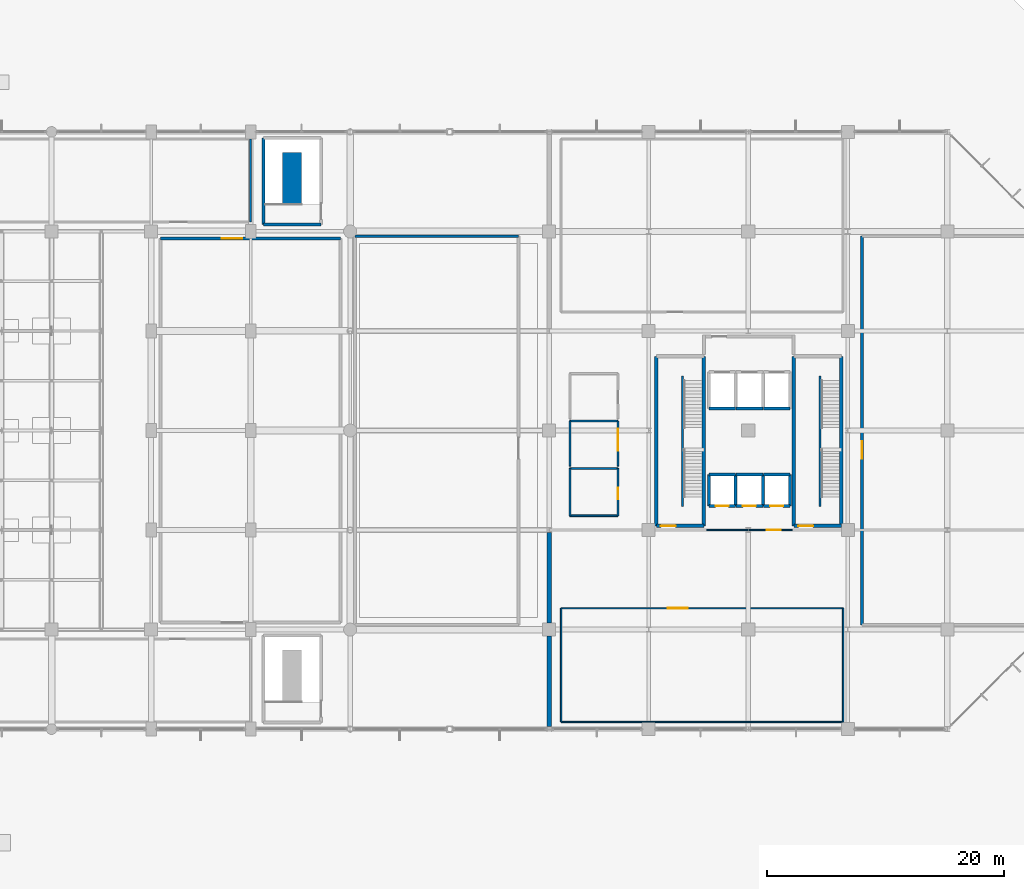
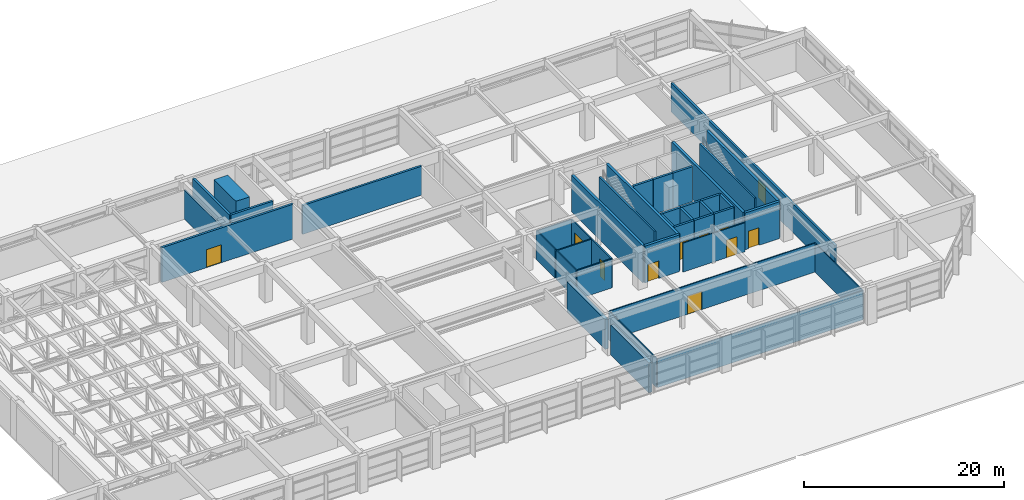
# One storey, part 42 of 47: 42 walls, 11 doors, 11 openings.
"""IFC4 building model written with IfcOpenShell, lengths in metres."""

from ifc_helpers import new_model, si_unit, direction, frame, frame_2d, origin, place, context, subcontext, project, spatial, rectangle, extrude, material, layer, layer_set, type_object, element, fill, save


model = new_model("IFC4")

# Units and contexts
model_context = context("Model", 3, precision=1e-05, world=origin(), true_north=direction((0.0, 1.0)))
body_context = subcontext(model_context, "Body", "Model", "MODEL_VIEW")
ifc_project = project(units=[si_unit("LENGTHUNIT", "METRE"), si_unit("AREAUNIT", "SQUARE_METRE"), si_unit("VOLUMEUNIT", "CUBIC_METRE"), si_unit("PLANEANGLEUNIT", "RADIAN"), si_unit("MASSUNIT", "GRAM", prefix="KILO")], contexts=[model_context])

# Site, building, storey
site_placement = place(None, origin())
site = spatial("IfcSite", under=ifc_project, at=site_placement, CompositionType="ELEMENT")
building_placement = place(site_placement, origin())
building = spatial("IfcBuilding", under=site, at=building_placement, Name="Xuanlan Plaza Opera House", CompositionType="ELEMENT")
storey_placement = place(building_placement, frame((0.0, 0.0, 23.39990234375)))
storey = spatial("IfcBuildingStorey", under=building, at=storey_placement, Name="L05", CompositionType="ELEMENT", Elevation=23.39990234375)

# Wall
ifc_material_1 = material(Name="Gypsum Board and Galvanised Steel Studs", Category="gypsum")
ifc_layer_1 = layer(ifc_material_1, 0.239990234375)
ifc_layer_set_1 = layer_set([ifc_layer_1], Name="Gypsum Board and Galvanised Steel Studs")
wall_type_1 = type_object("IfcWallType", Name="INT-WL-PW-01", PredefinedType="PARTITIONING", material=ifc_layer_set_1)
wall_1_placement = place(storey_placement, frame((109.60009765625, 75.199951171875, 0.0), z_axis=(0.0, 0.0, 1.0), x_axis=(1.0, 0.0, 0.0)))
element("IfcWall", 1, at=wall_1_placement, inside=storey, type_object=wall_type_1, Name="Exhibition Gallery Wall North", PredefinedType="PARTITIONING", context=body_context, shape_type="SweptSolid", body=[
    extrude(rectangle(XDim=13.7998046875, YDim=0.239990234375, at=frame_2d((6.89990234375, 0.0))), origin(), (0.0, 0.0, 1.0), 3.5400390625),
])

# Wall, opening, door
wall_2_placement = place(storey_placement, frame((152.39990234375, 42.39990234375, 0.0), z_axis=(0.0, 0.0, 1.0), x_axis=(0.0, 1.0, 0.0)))
wall_2 = element("IfcWall", 2, at=wall_2_placement, inside=storey, type_object=wall_type_1, Name="Resident Orchestra Ensemble Studio Wall West", PredefinedType="PARTITIONING", context=body_context, shape_type="SweptSolid", body=[
    extrude(rectangle(XDim=32.800048828125, YDim=0.239990234375, at=frame_2d((16.39990234375, 0.0))), origin(), (0.0, 0.0, 1.0), 3.5400390625),
])
opening_1_placement = place(wall_2_placement, frame((14.0, 0.0, 0.0)))
opening_1 = element("IfcOpeningElement", 3, at=opening_1_placement, cuts=wall_2, Name="Opening D-03", PredefinedType="OPENING", context=body_context, shape_type="SweptSolid", body=[
    extrude(rectangle(XDim=1.5, YDim=2.199951171875, at=frame_2d((0.75, 1.10009765625))), frame((0.0, 0.1298828125, 0.0), z_axis=(0.0, -1.0, 0.0), x_axis=(1.0, 0.0, 0.0)), (0.0, 0.0, 1.0), 0.260009765625),
])
ifc_material_2 = material(Name="Walnut Hardwood Timber", Category="wood")
door_type_1 = type_object("IfcDoorType", Name="INT-DR-D-03", OperationType="DOUBLE_DOOR_SINGLE_SWING", PredefinedType="DOOR", material=ifc_material_2)
door_1_placement = place(opening_1_placement, origin())
door_1 = element("IfcDoor", 4, at=door_1_placement, inside=storey, type_object=door_type_1, Name="Resident Orchestra Ensemble Studio Door 1", OperationType="DOUBLE_DOOR_SINGLE_SWING", OverallHeight=2.199951171875, OverallWidth=1.5, PredefinedType="DOOR", context=body_context, shape_type="SweptSolid", body=[
    extrude(rectangle(XDim=1.5, YDim=2.199951171875, at=frame_2d((0.75, 1.10009765625))), frame((0.0, 0.02490234375, 0.0), z_axis=(0.0, -1.0, 0.0), x_axis=(1.0, 0.0, 0.0)), (0.0, 0.0, 1.0), 0.050048828125),
])
fill(opening_1, door_1)

# Walls
ifc_layer_2 = layer(ifc_material_1, 0.179931640625)
ifc_layer_set_2 = layer_set([ifc_layer_2], Name="Gypsum Board and Galvanised Steel Studs")
wall_type_2 = type_object("IfcWallType", Name="INT-WL-PW-02", PredefinedType="PARTITIONING", material=ifc_layer_set_2)
wall_3_placement = place(storey_placement, frame((100.800048828125, 76.39990234375, 0.0), z_axis=(0.0, 0.0, 1.0), x_axis=(0.0, 1.0, 0.0)))
element("IfcWall", 5, at=wall_3_placement, inside=storey, type_object=wall_type_2, Name="Stage Lighting Equipment Store Wall East", PredefinedType="PARTITIONING", context=body_context, shape_type="SweptSolid", body=[
    extrude(rectangle(XDim=7.0, YDim=0.179931640625, at=frame_2d((3.5, 0.0))), origin(), (0.0, 0.0, 1.0), 3.5400390625),
])
ifc_material_3 = material(Name="Autoclaved Aerated Blockwork Masonry", Category="masonry")
ifc_layer_3 = layer(ifc_material_3, 0.14990234375)
ifc_layer_set_3 = layer_set([ifc_layer_3], Name="Autoclaved Aerated Blockwork Masonry")
wall_type_3 = type_object("IfcWallType", Name="INT-WL-PW-03", PredefinedType="PARTITIONING", material=ifc_layer_set_3)
for number, where, z_axis, x_axis, name in (
    (6, (127.75, 51.60009765625, 0.0), (0.0, 0.0, 1.0), (1.0, 0.0, 0.0), "Public WC Wall South"),
    (7, (127.75, 55.60009765625, 0.0), (0.0, 0.0, 1.0), (1.0, 0.0, 0.0), "Public WC Wall North"),
):
    element("IfcWall", number, at=place(storey_placement, frame(where, z_axis=z_axis, x_axis=x_axis)), inside=storey, type_object=wall_type_3, Name=name, PredefinedType="PARTITIONING", context=body_context, shape_type="SweptSolid", body=[
        extrude(rectangle(XDim=4.050048828125, YDim=0.14990234375, at=frame_2d((2.02490234375, 0.0))), origin(), (0.0, 0.0, 1.0), 3.5400390625),
    ])
wall_4_placement = place(storey_placement, frame((127.75, 51.60009765625, 0.0), z_axis=(0.0, 0.0, 1.0), x_axis=(0.0, 1.0, 0.0)))
element("IfcWall", 8, at=wall_4_placement, inside=storey, type_object=wall_type_3, Name="Public WC Wall West", PredefinedType="PARTITIONING", context=body_context, shape_type="SweptSolid", body=[
    extrude(rectangle(XDim=4.0, YDim=0.14990234375, at=frame_2d((2.0, 0.0))), origin(), (0.0, 0.0, 1.0), 3.5400390625),
])

# Wall, opening, door
wall_5_placement = place(storey_placement, frame((131.800048828125, 51.60009765625, 0.0), z_axis=(0.0, 0.0, 1.0), x_axis=(0.0, 1.0, 0.0)))
wall_5 = element("IfcWall", 9, at=wall_5_placement, inside=storey, type_object=wall_type_3, Name="Public WC Wall East", PredefinedType="PARTITIONING", context=body_context, shape_type="SweptSolid", body=[
    extrude(rectangle(XDim=4.0, YDim=0.14990234375, at=frame_2d((2.0, 0.0))), origin(), (0.0, 0.0, 1.0), 3.5400390625),
])
opening_2_placement = place(wall_5_placement, frame((1.39990234375, 0.0, 0.0)))
opening_2 = element("IfcOpeningElement", 10, at=opening_2_placement, cuts=wall_5, Name="Opening D-01", PredefinedType="OPENING", context=body_context, shape_type="SweptSolid", body=[
    extrude(rectangle(XDim=0.949951171875, YDim=2.10009765625, at=frame_2d((0.47509765625, 1.050048828125))), frame((0.0, 0.0849609375, 0.0), z_axis=(0.0, -1.0, 0.0), x_axis=(1.0, 0.0, 0.0)), (0.0, 0.0, 1.0), 0.169921875),
])
door_type_2 = type_object("IfcDoorType", Name="INT-DR-D-01", OperationType="NOTDEFINED", PredefinedType="DOOR", material=ifc_material_2)
door_2_placement = place(opening_2_placement, origin())
door_2 = element("IfcDoor", 11, at=door_2_placement, inside=storey, type_object=door_type_2, Name="Public WC Door 1", OperationType="SINGLE_SWING_RIGHT", OverallHeight=2.10009765625, OverallWidth=0.949951171875, PredefinedType="DOOR", context=body_context, shape_type="SweptSolid", body=[
    extrude(rectangle(XDim=0.949951171875, YDim=2.10009765625, at=frame_2d((0.47509765625, 1.050048828125))), frame((0.0, 0.02490234375, 0.0), z_axis=(0.0, -1.0, 0.0), x_axis=(1.0, 0.0, 0.0)), (0.0, 0.0, 1.0), 0.050048828125),
])
fill(opening_2, door_2)

# Walls
wall_6_placement = place(storey_placement, frame((127.75, 59.60009765625, 0.0), z_axis=(0.0, 0.0, 1.0), x_axis=(1.0, 0.0, 0.0)))
element("IfcWall", 12, at=wall_6_placement, inside=storey, type_object=wall_type_3, Name="Staff WC Wall North", PredefinedType="PARTITIONING", context=body_context, shape_type="SweptSolid", body=[
    extrude(rectangle(XDim=4.050048828125, YDim=0.14990234375, at=frame_2d((2.02490234375, 0.0))), origin(), (0.0, 0.0, 1.0), 3.5400390625),
])
wall_7_placement = place(storey_placement, frame((127.75, 55.800048828125, 0.0), z_axis=(0.0, 0.0, 1.0), x_axis=(0.0, 1.0, 0.0)))
element("IfcWall", 13, at=wall_7_placement, inside=storey, type_object=wall_type_3, Name="Staff WC Wall West", PredefinedType="PARTITIONING", context=body_context, shape_type="SweptSolid", body=[
    extrude(rectangle(XDim=3.800048828125, YDim=0.14990234375, at=frame_2d((1.89990234375, 0.0))), origin(), (0.0, 0.0, 1.0), 3.5400390625),
])

# Wall, opening, door
wall_8_placement = place(storey_placement, frame((131.800048828125, 55.800048828125, 0.0), z_axis=(0.0, 0.0, 1.0), x_axis=(0.0, 1.0, 0.0)))
wall_8 = element("IfcWall", 14, at=wall_8_placement, inside=storey, type_object=wall_type_3, Name="Staff WC Wall East", PredefinedType="PARTITIONING", context=body_context, shape_type="SweptSolid", body=[
    extrude(rectangle(XDim=3.800048828125, YDim=0.14990234375, at=frame_2d((1.89990234375, 0.0))), origin(), (0.0, 0.0, 1.0), 3.5400390625),
])
opening_3_placement = place(wall_8_placement, frame((1.300048828125, 0.0, 0.0)))
opening_3 = element("IfcOpeningElement", 15, at=opening_3_placement, cuts=wall_8, Name="Opening D-15", PredefinedType="OPENING", context=body_context, shape_type="SweptSolid", body=[
    extrude(rectangle(XDim=1.860107421875, YDim=2.260009765625, at=frame_2d((0.93017578125, 1.1298828125))), frame((0.0, 0.0849609375, 0.0), z_axis=(0.0, -1.0, 0.0), x_axis=(1.0, 0.0, 0.0)), (0.0, 0.0, 1.0), 0.169921875),
])
door_type_3 = type_object("IfcDoorType", Name="INT-DR-D-15", OperationType="DOUBLE_DOOR_SINGLE_SWING", PredefinedType="DOOR", material=ifc_material_2)
door_3_placement = place(opening_3_placement, origin())
door_3 = element("IfcDoor", 16, at=door_3_placement, inside=storey, type_object=door_type_3, Name="Staff WC Door 1", OperationType="DOUBLE_DOOR_SINGLE_SWING", OverallHeight=2.260009765625, OverallWidth=1.860107421875, PredefinedType="DOOR", context=body_context, shape_type="SweptSolid", body=[
    extrude(rectangle(XDim=1.860107421875, YDim=2.260009765625, at=frame_2d((0.93017578125, 1.1298828125))), frame((0.0, 0.02490234375, 0.0), z_axis=(0.0, -1.0, 0.0), x_axis=(1.0, 0.0, 0.0)), (0.0, 0.0, 1.0), 0.050048828125),
])
fill(opening_3, door_3)

ifc_layer_4 = layer(ifc_material_1, 0.1201171875)
ifc_layer_set_4 = layer_set([ifc_layer_4], Name="Gypsum Board and Galvanised Steel Studs")
wall_type_4 = type_object("IfcWallType", Name="INT-WL-PW-04", PredefinedType="PARTITIONING", material=ifc_layer_set_4)
wall_9_placement = place(storey_placement, frame((139.300048828125, 50.39990234375, 0.0), z_axis=(0.0, 0.0, 1.0), x_axis=(1.0, 0.0, 0.0)))
wall_9 = element("IfcWall", 17, at=wall_9_placement, inside=storey, type_object=wall_type_4, Name="Tower Lift Lobby Wall South", PredefinedType="PARTITIONING", context=body_context, shape_type="SweptSolid", body=[
    extrude(rectangle(XDim=7.199951171875, YDim=0.1201171875, at=frame_2d((3.60009765625, 0.0))), origin(), (0.0, 0.0, 1.0), 3.5400390625),
])
opening_4_placement = place(wall_9_placement, frame((5.050048828125, 0.0, 0.0)))
opening_4 = element("IfcOpeningElement", 18, at=opening_4_placement, cuts=wall_9, Name="Opening FD-02", PredefinedType="OPENING", context=body_context, shape_type="SweptSolid", body=[
    extrude(rectangle(XDim=1.199951171875, YDim=2.14990234375, at=frame_2d((0.60009765625, 1.074951171875))), frame((0.0, 0.070068359375, 0.0), z_axis=(0.0, -1.0, 0.0), x_axis=(1.0, 0.0, 0.0)), (0.0, 0.0, 1.0), 0.14013671875),
])
ifc_material_4 = material(Name="Galvanised Steel Q235B", Category="steel")
door_type_4 = type_object("IfcDoorType", Name="INT-DR-FD-02", OperationType="NOTDEFINED", PredefinedType="DOOR", material=ifc_material_4)
door_4_placement = place(opening_4_placement, frame((1.199951171875, 0.0, 0.0), z_axis=(0.0, 0.0, 1.0), x_axis=(-1.0, 0.0, 0.0)))
door_4 = element("IfcDoor", 19, at=door_4_placement, inside=storey, type_object=door_type_4, Name="Tower Lift Lobby Door 1", OperationType="SINGLE_SWING_RIGHT", OverallHeight=2.14990234375, OverallWidth=1.199951171875, PredefinedType="DOOR", context=body_context, shape_type="SweptSolid", body=[
    extrude(rectangle(XDim=1.199951171875, YDim=2.14990234375, at=frame_2d((0.60009765625, 1.074951171875))), frame((0.0, 0.02490234375, 0.0), z_axis=(0.0, -1.0, 0.0), x_axis=(1.0, 0.0, 0.0)), (0.0, 0.0, 1.0), 0.050048828125),
])
fill(opening_4, door_4)

# Wall
wall_10_placement = place(storey_placement, frame((127.0, 34.199951171875, 0.0), z_axis=(0.0, 0.0, 1.0), x_axis=(1.0, 0.0, 0.0)))
element("IfcWall", 20, at=wall_10_placement, inside=storey, type_object=wall_type_4, Name="Musicology Research Office Wall South", PredefinedType="PARTITIONING", context=body_context, shape_type="SweptSolid", body=[
    extrude(rectangle(XDim=23.800048828125, YDim=0.1201171875, at=frame_2d((11.89990234375, 0.0))), origin(), (0.0, 0.0, 1.0), 3.5400390625),
])

# Wall, opening, door
wall_11_placement = place(storey_placement, frame((127.0, 43.800048828125, 0.0), z_axis=(0.0, 0.0, 1.0), x_axis=(1.0, 0.0, 0.0)))
wall_11 = element("IfcWall", 21, at=wall_11_placement, inside=storey, type_object=wall_type_4, Name="Musicology Research Office Wall North", PredefinedType="PARTITIONING", context=body_context, shape_type="SweptSolid", body=[
    extrude(rectangle(XDim=23.800048828125, YDim=0.1201171875, at=frame_2d((11.89990234375, 0.0))), origin(), (0.0, 0.0, 1.0), 3.5400390625),
])
opening_5_placement = place(wall_11_placement, frame((9.0, 0.0, 0.0)))
opening_5 = element("IfcOpeningElement", 22, at=opening_5_placement, cuts=wall_11, Name="Opening D-14", PredefinedType="OPENING", context=body_context, shape_type="SweptSolid", body=[
    extrude(rectangle(XDim=1.679931640625, YDim=2.239990234375, at=frame_2d((0.83984375, 1.1201171875))), frame((0.0, 0.070068359375, 0.0), z_axis=(0.0, -1.0, 0.0), x_axis=(1.0, 0.0, 0.0)), (0.0, 0.0, 1.0), 0.14013671875),
])
ifc_material_5 = material(Name="Oak Hardwood Timber", Category="wood")
door_type_5 = type_object("IfcDoorType", Name="INT-DR-D-14", OperationType="DOUBLE_DOOR_SINGLE_SWING", PredefinedType="DOOR", material=ifc_material_5)
door_5_placement = place(opening_5_placement, origin())
door_5 = element("IfcDoor", 23, at=door_5_placement, inside=storey, type_object=door_type_5, Name="Musicology Research Office Door 1", OperationType="DOUBLE_DOOR_SINGLE_SWING", OverallHeight=2.239990234375, OverallWidth=1.679931640625, PredefinedType="DOOR", context=body_context, shape_type="SweptSolid", body=[
    extrude(rectangle(XDim=1.679931640625, YDim=2.239990234375, at=frame_2d((0.83984375, 1.1201171875))), frame((0.0, 0.02490234375, 0.0), z_axis=(0.0, -1.0, 0.0), x_axis=(1.0, 0.0, 0.0)), (0.0, 0.0, 1.0), 0.050048828125),
])
fill(opening_5, door_5)

# Walls
for number, where, z_axis, x_axis, name in (
    (24, (127.0, 34.199951171875, 0.0), (0.0, 0.0, 1.0), (0.0, 1.0, 0.0), "Musicology Research Office Wall West"),
    (25, (150.800048828125, 34.199951171875, 0.0), (0.0, 0.0, 1.0), (0.0, 1.0, 0.0), "Musicology Research Office Wall East"),
):
    element("IfcWall", number, at=place(storey_placement, frame(where, z_axis=z_axis, x_axis=x_axis)), inside=storey, type_object=wall_type_4, Name=name, PredefinedType="PARTITIONING", context=body_context, shape_type="SweptSolid", body=[
        extrude(rectangle(XDim=9.60009765625, YDim=0.1201171875, at=frame_2d((4.800048828125, 0.0))), origin(), (0.0, 0.0, 1.0), 3.5400390625),
    ])
ifc_material_6 = material(Name="Concrete C50", Category="concrete")
ifc_layer_5 = layer(ifc_material_6, 0.3798828125)
ifc_layer_set_5 = layer_set([ifc_layer_5], Name="Concrete C50")
wall_type_5 = type_object("IfcWallType", Name="INT-WL-SW-FW1", PredefinedType="SHEAR", material=ifc_layer_set_5)
for number, where, z_axis, x_axis, name in (
    (26, (126.0, 33.800048828125, 0.0), (0.0, 0.0, 1.0), (0.0, 1.0, 0.0), "Opera-Tower Compartment Firewall L05-01"),
    (27, (126.0, 42.550048828125, 0.0), (0.0, 0.0, 1.0), (0.0, 1.0, 0.0), "Opera-Tower Compartment Firewall L05-02"),
):
    element("IfcWall", number, at=place(storey_placement, frame(where, z_axis=z_axis, x_axis=x_axis)), inside=storey, type_object=wall_type_5, Name=name, PredefinedType="SHEAR", context=body_context, shape_type="SweptSolid", body=[
        extrude(rectangle(XDim=7.64990234375, YDim=0.3798828125, at=frame_2d((3.824951171875, 0.0))), origin(), (0.0, 0.0, 1.0), 3.650146484375),
    ])
ifc_material_7 = material(Name="Concrete C40", Category="concrete")
ifc_layer_6 = layer(ifc_material_7, 0.25)
ifc_layer_set_6 = layer_set([ifc_layer_6], Name="Concrete C40")
wall_type_6 = type_object("IfcWallType", Name="INT-WL-SW-LF1", PredefinedType="SHEAR", material=ifc_layer_set_6)
for number, where, z_axis, x_axis, name in (
    (28, (139.47509765625, 60.675048828125, 0.0), (0.0, 0.0, 1.0), (1.0, 0.0, 0.0), "Lift Shaft Wall LF-FF1 L05 South"),
    (29, (141.77490234375, 60.675048828125, 0.0), (0.0, 0.0, 1.0), (1.0, 0.0, 0.0), "Lift Shaft Wall LF-FF2 L05 South"),
    (30, (144.074951171875, 60.675048828125, 0.0), (0.0, 0.0, 1.0), (1.0, 0.0, 0.0), "Lift Shaft Wall LF-FF3 L05 South"),
):
    element("IfcWall", number, at=place(storey_placement, frame(where, z_axis=z_axis, x_axis=x_axis)), inside=storey, type_object=wall_type_6, Name=name, PredefinedType="SHEAR", context=body_context, shape_type="SweptSolid", body=[
        extrude(rectangle(XDim=2.25, YDim=0.25, at=frame_2d((1.125, 0.0))), origin(), (0.0, 0.0, 1.0), 4.260009765625),
    ])

# Wall, opening, door
wall_12_placement = place(storey_placement, frame((139.47509765625, 52.425048828125, 0.0), z_axis=(0.0, 0.0, 1.0), x_axis=(1.0, 0.0, 0.0)))
wall_12 = element("IfcWall", 31, at=wall_12_placement, inside=storey, type_object=wall_type_6, Name="Lift Shaft Wall LF-P1 L05 South", PredefinedType="SHEAR", context=body_context, shape_type="SweptSolid", body=[
    extrude(rectangle(XDim=2.25, YDim=0.25, at=frame_2d((1.125, 0.0))), origin(), (0.0, 0.0, 1.0), 4.260009765625),
])
opening_6_placement = place(wall_12_placement, frame((0.574951171875, 0.0, 0.0)))
opening_6 = element("IfcOpeningElement", 32, at=opening_6_placement, cuts=wall_12, Name="Opening LD-P1-L05", PredefinedType="OPENING", context=body_context, shape_type="SweptSolid", body=[
    extrude(rectangle(XDim=1.10009765625, YDim=2.14990234375, at=frame_2d((0.550048828125, 1.074951171875))), frame((0.0, 0.135009765625, 0.0), z_axis=(0.0, -1.0, 0.0), x_axis=(1.0, 0.0, 0.0)), (0.0, 0.0, 1.0), 0.27001953125),
])
ifc_material_8 = material(Name="Stainless Steel S30408", Category="steel")
door_type_6 = type_object("IfcDoorType", Name="INT-DR-LD-01", OperationType="DOUBLE_DOOR_SLIDING", PredefinedType="DOOR", material=ifc_material_8)
door_6_placement = place(opening_6_placement, origin())
door_6 = element("IfcDoor", 33, at=door_6_placement, inside=storey, type_object=door_type_6, Name="Lift Sliding Landing Door LF-P1 L05", OperationType="DOUBLE_DOOR_SLIDING", OverallHeight=2.14990234375, OverallWidth=1.10009765625, PredefinedType="DOOR", context=body_context, shape_type="SweptSolid", body=[
    extrude(rectangle(XDim=1.10009765625, YDim=2.14990234375, at=frame_2d((0.550048828125, 1.074951171875))), frame((0.0, 0.02490234375, 0.0), z_axis=(0.0, -1.0, 0.0), x_axis=(1.0, 0.0, 0.0)), (0.0, 0.0, 1.0), 0.050048828125),
])
fill(opening_6, door_6)

# Walls
wall_13_placement = place(storey_placement, frame((139.47509765625, 55.074951171875, 0.0), z_axis=(0.0, 0.0, 1.0), x_axis=(1.0, 0.0, 0.0)))
element("IfcWall", 34, at=wall_13_placement, inside=storey, type_object=wall_type_6, Name="Lift Shaft Wall LF-P1 L05 North", PredefinedType="SHEAR", context=body_context, shape_type="SweptSolid", body=[
    extrude(rectangle(XDim=2.25, YDim=0.25, at=frame_2d((1.125, 0.0))), origin(), (0.0, 0.0, 1.0), 4.260009765625),
])
for number, where, z_axis, x_axis, name in (
    (35, (139.47509765625, 52.425048828125, 0.0), (0.0, 0.0, 1.0), (0.0, 1.0, 0.0), "Lift Shaft Wall LF-P1 L05 West"),
    (36, (141.72509765625, 52.425048828125, 0.0), (0.0, 0.0, 1.0), (0.0, 1.0, 0.0), "Lift Shaft Wall LF-P1 L05 East"),
):
    element("IfcWall", number, at=place(storey_placement, frame(where, z_axis=z_axis, x_axis=x_axis)), inside=storey, type_object=wall_type_6, Name=name, PredefinedType="SHEAR", context=body_context, shape_type="SweptSolid", body=[
        extrude(rectangle(XDim=2.64990234375, YDim=0.25, at=frame_2d((1.324951171875, 0.0))), origin(), (0.0, 0.0, 1.0), 4.260009765625),
    ])

# Wall, opening, door
wall_14_placement = place(storey_placement, frame((141.77490234375, 52.425048828125, 0.0), z_axis=(0.0, 0.0, 1.0), x_axis=(1.0, 0.0, 0.0)))
wall_14 = element("IfcWall", 37, at=wall_14_placement, inside=storey, type_object=wall_type_6, Name="Lift Shaft Wall LF-P2 L05 South", PredefinedType="SHEAR", context=body_context, shape_type="SweptSolid", body=[
    extrude(rectangle(XDim=2.25, YDim=0.25, at=frame_2d((1.125, 0.0))), origin(), (0.0, 0.0, 1.0), 4.260009765625),
])
opening_7_placement = place(wall_14_placement, frame((0.574951171875, 0.0, 0.0)))
opening_7 = element("IfcOpeningElement", 38, at=opening_7_placement, cuts=wall_14, Name="Opening LD-P2-L05", PredefinedType="OPENING", context=body_context, shape_type="SweptSolid", body=[
    extrude(rectangle(XDim=1.10009765625, YDim=2.14990234375, at=frame_2d((0.550048828125, 1.074951171875))), frame((0.0, 0.135009765625, 0.0), z_axis=(0.0, -1.0, 0.0), x_axis=(1.0, 0.0, 0.0)), (0.0, 0.0, 1.0), 0.27001953125),
])
door_7_placement = place(opening_7_placement, origin())
door_7 = element("IfcDoor", 39, at=door_7_placement, inside=storey, type_object=door_type_6, Name="Lift Sliding Landing Door LF-P2 L05", OperationType="DOUBLE_DOOR_SLIDING", OverallHeight=2.14990234375, OverallWidth=1.10009765625, PredefinedType="DOOR", context=body_context, shape_type="SweptSolid", body=[
    extrude(rectangle(XDim=1.10009765625, YDim=2.14990234375, at=frame_2d((0.550048828125, 1.074951171875))), frame((0.0, 0.02490234375, 0.0), z_axis=(0.0, -1.0, 0.0), x_axis=(1.0, 0.0, 0.0)), (0.0, 0.0, 1.0), 0.050048828125),
])
fill(opening_7, door_7)

# Walls
wall_15_placement = place(storey_placement, frame((141.77490234375, 55.074951171875, 0.0), z_axis=(0.0, 0.0, 1.0), x_axis=(1.0, 0.0, 0.0)))
element("IfcWall", 40, at=wall_15_placement, inside=storey, type_object=wall_type_6, Name="Lift Shaft Wall LF-P2 L05 North", PredefinedType="SHEAR", context=body_context, shape_type="SweptSolid", body=[
    extrude(rectangle(XDim=2.25, YDim=0.25, at=frame_2d((1.125, 0.0))), origin(), (0.0, 0.0, 1.0), 4.260009765625),
])
wall_16_placement = place(storey_placement, frame((144.02490234375, 52.425048828125, 0.0), z_axis=(0.0, 0.0, 1.0), x_axis=(0.0, 1.0, 0.0)))
element("IfcWall", 41, at=wall_16_placement, inside=storey, type_object=wall_type_6, Name="Lift Shaft Wall LF-P2 L05 East", PredefinedType="SHEAR", context=body_context, shape_type="SweptSolid", body=[
    extrude(rectangle(XDim=2.64990234375, YDim=0.25, at=frame_2d((1.324951171875, 0.0))), origin(), (0.0, 0.0, 1.0), 4.260009765625),
])

# Wall, opening, door
wall_17_placement = place(storey_placement, frame((144.074951171875, 52.425048828125, 0.0), z_axis=(0.0, 0.0, 1.0), x_axis=(1.0, 0.0, 0.0)))
wall_17 = element("IfcWall", 42, at=wall_17_placement, inside=storey, type_object=wall_type_6, Name="Lift Shaft Wall LF-P3 L05 South", PredefinedType="SHEAR", context=body_context, shape_type="SweptSolid", body=[
    extrude(rectangle(XDim=2.25, YDim=0.25, at=frame_2d((1.125, 0.0))), origin(), (0.0, 0.0, 1.0), 4.260009765625),
])
opening_8_placement = place(wall_17_placement, frame((0.574951171875, 0.0, 0.0)))
opening_8 = element("IfcOpeningElement", 43, at=opening_8_placement, cuts=wall_17, Name="Opening LD-P3-L05", PredefinedType="OPENING", context=body_context, shape_type="SweptSolid", body=[
    extrude(rectangle(XDim=1.10009765625, YDim=2.14990234375, at=frame_2d((0.550048828125, 1.074951171875))), frame((0.0, 0.135009765625, 0.0), z_axis=(0.0, -1.0, 0.0), x_axis=(1.0, 0.0, 0.0)), (0.0, 0.0, 1.0), 0.27001953125),
])
door_8_placement = place(opening_8_placement, origin())
door_8 = element("IfcDoor", 44, at=door_8_placement, inside=storey, type_object=door_type_6, Name="Lift Sliding Landing Door LF-P3 L05", OperationType="DOUBLE_DOOR_SLIDING", OverallHeight=2.14990234375, OverallWidth=1.10009765625, PredefinedType="DOOR", context=body_context, shape_type="SweptSolid", body=[
    extrude(rectangle(XDim=1.10009765625, YDim=2.14990234375, at=frame_2d((0.550048828125, 1.074951171875))), frame((0.0, 0.02490234375, 0.0), z_axis=(0.0, -1.0, 0.0), x_axis=(1.0, 0.0, 0.0)), (0.0, 0.0, 1.0), 0.050048828125),
])
fill(opening_8, door_8)

# Walls
wall_18_placement = place(storey_placement, frame((144.074951171875, 55.074951171875, 0.0), z_axis=(0.0, 0.0, 1.0), x_axis=(1.0, 0.0, 0.0)))
element("IfcWall", 45, at=wall_18_placement, inside=storey, type_object=wall_type_6, Name="Lift Shaft Wall LF-P3 L05 North", PredefinedType="SHEAR", context=body_context, shape_type="SweptSolid", body=[
    extrude(rectangle(XDim=2.25, YDim=0.25, at=frame_2d((1.125, 0.0))), origin(), (0.0, 0.0, 1.0), 4.260009765625),
])
wall_19_placement = place(storey_placement, frame((146.324951171875, 52.425048828125, 0.0), z_axis=(0.0, 0.0, 1.0), x_axis=(0.0, 1.0, 0.0)))
element("IfcWall", 46, at=wall_19_placement, inside=storey, type_object=wall_type_6, Name="Lift Shaft Wall LF-P3 L05 East", PredefinedType="SHEAR", context=body_context, shape_type="SweptSolid", body=[
    extrude(rectangle(XDim=2.64990234375, YDim=0.25, at=frame_2d((1.324951171875, 0.0))), origin(), (0.0, 0.0, 1.0), 4.260009765625),
])

# Wall, opening, door
wall_20_placement = place(storey_placement, frame((93.199951171875, 75.0, 0.0), z_axis=(0.0, 0.0, 1.0), x_axis=(1.0, 0.0, 0.0)))
wall_20 = element("IfcWall", 47, at=wall_20_placement, inside=storey, type_object=wall_type_6, Name="Opera Costume and Set Archive Wall North", PredefinedType="SHEAR", context=body_context, shape_type="SweptSolid", body=[
    extrude(rectangle(XDim=15.199951171875, YDim=0.25, at=frame_2d((7.60009765625, 0.0))), origin(), (0.0, 0.0, 1.0), 4.260009765625),
])
opening_9_placement = place(wall_20_placement, frame((5.14990234375, 0.0, 0.0)))
opening_9 = element("IfcOpeningElement", 48, at=opening_9_placement, cuts=wall_20, Name="Opening FD-03", PredefinedType="OPENING", context=body_context, shape_type="SweptSolid", body=[
    extrude(rectangle(XDim=1.75, YDim=2.199951171875, at=frame_2d((0.875, 1.10009765625))), frame((0.0, 0.135009765625, 0.0), z_axis=(0.0, -1.0, 0.0), x_axis=(1.0, 0.0, 0.0)), (0.0, 0.0, 1.0), 0.27001953125),
])
door_type_7 = type_object("IfcDoorType", Name="INT-DR-FD-03", OperationType="DOUBLE_DOOR_SINGLE_SWING", PredefinedType="DOOR", material=ifc_material_4)
door_9_placement = place(opening_9_placement, origin())
door_9 = element("IfcDoor", 49, at=door_9_placement, inside=storey, type_object=door_type_7, Name="Opera Costume and Set Archive Door 1", OperationType="DOUBLE_DOOR_SINGLE_SWING", OverallHeight=2.199951171875, OverallWidth=1.75, PredefinedType="DOOR", context=body_context, shape_type="SweptSolid", body=[
    extrude(rectangle(XDim=1.75, YDim=2.199951171875, at=frame_2d((0.875, 1.10009765625))), frame((0.0, 0.02490234375, 0.0), z_axis=(0.0, -1.0, 0.0), x_axis=(1.0, 0.0, 0.0)), (0.0, 0.0, 1.0), 0.050048828125),
])
fill(opening_9, door_9)

# Walls
ifc_layer_7 = layer(ifc_material_6, 1.60009765625)
ifc_layer_set_7 = layer_set([ifc_layer_7], Name="Concrete C50")
wall_type_7 = type_object("IfcWallType", Name="INT-WL-SW-SP2", PredefinedType="SHEAR", material=ifc_layer_set_7)
wall_21_placement = place(storey_placement, frame((104.300048828125, 77.8798828125, 0.0), z_axis=(0.0, 0.0, 1.0), x_axis=(0.0, 1.0, 0.0)))
element("IfcWall", 50, at=wall_21_placement, inside=storey, type_object=wall_type_7, Name="Half-Turn Stair Structural Spine Wall ST-F2 L05", PredefinedType="SHEAR", context=body_context, shape_type="SweptSolid", body=[
    extrude(rectangle(XDim=4.400146484375, YDim=1.60009765625, at=frame_2d((2.2001953125, 0.0))), origin(), (0.0, 0.0, 1.0), 4.5),
])
ifc_layer_8 = layer(ifc_material_7, 0.199951171875)
ifc_layer_set_8 = layer_set([ifc_layer_8], Name="Concrete C40")
wall_type_8 = type_object("IfcWallType", Name="INT-WL-SW-SPN", PredefinedType="SHEAR", material=ifc_layer_set_8)
for number, where, z_axis, x_axis, name in (
    (51, (137.25, 52.39990234375, 0.0), (0.0, 0.0, 1.0), (0.0, 1.0, 0.0), "Stair Structural Spine Wall ST-T1 L05"),
    (52, (148.85009765625, 52.39990234375, 0.0), (0.0, 0.0, 1.0), (0.0, 1.0, 0.0), "Stair Structural Spine Wall ST-T2 L05"),
):
    element("IfcWall", number, at=place(storey_placement, frame(where, z_axis=z_axis, x_axis=x_axis)), inside=storey, type_object=wall_type_8, Name=name, PredefinedType="SHEAR", context=body_context, shape_type="SweptSolid", body=[
        extrude(rectangle(XDim=11.0, YDim=0.199951171875, at=frame_2d((5.5, 0.0))), origin(), (0.0, 0.0, 1.0), 4.5),
    ])

# Wall, opening, door
ifc_layer_9 = layer(ifc_material_7, 0.300048828125)
ifc_layer_set_9 = layer_set([ifc_layer_9], Name="Concrete C40")
wall_type_9 = type_object("IfcWallType", Name="INT-WL-SW-ST1", PredefinedType="SHEAR", material=ifc_layer_set_9)
wall_22_placement = place(storey_placement, frame((135.050048828125, 50.75, 0.0), z_axis=(0.0, 0.0, 1.0), x_axis=(1.0, 0.0, 0.0)))
wall_22 = element("IfcWall", 53, at=wall_22_placement, inside=storey, type_object=wall_type_9, Name="Stair Core Wall ST-T1 L05 South", PredefinedType="SHEAR", context=body_context, shape_type="SweptSolid", body=[
    extrude(rectangle(XDim=4.0, YDim=0.300048828125, at=frame_2d((2.0, 0.0))), origin(), (0.0, 0.0, 1.0), 4.5),
])
opening_10_placement = place(wall_22_placement, frame((0.375, 0.0, 0.0)))
opening_10 = element("IfcOpeningElement", 54, at=opening_10_placement, cuts=wall_22, Name="Opening FD-ST1", PredefinedType="OPENING", context=body_context, shape_type="SweptSolid", body=[
    extrude(rectangle(XDim=1.25, YDim=2.14990234375, at=frame_2d((0.625, 1.074951171875))), frame((0.0, 0.159912109375, 0.0), z_axis=(0.0, -1.0, 0.0), x_axis=(1.0, 0.0, 0.0)), (0.0, 0.0, 1.0), 0.320068359375),
])
door_type_8 = type_object("IfcDoorType", Name="INT-DR-FD-ST1", OperationType="NOTDEFINED", PredefinedType="DOOR", material=ifc_material_4)
door_10_placement = place(opening_10_placement, origin())
door_10 = element("IfcDoor", 55, at=door_10_placement, inside=storey, type_object=door_type_8, Name="Stair Enclosure Fire Door ST-T1 L05", OperationType="SINGLE_SWING_LEFT", OverallHeight=2.14990234375, OverallWidth=1.25, PredefinedType="DOOR", context=body_context, shape_type="SweptSolid", body=[
    extrude(rectangle(XDim=1.25, YDim=2.14990234375, at=frame_2d((0.625, 1.074951171875))), frame((0.0, 0.02490234375, 0.0), z_axis=(0.0, -1.0, 0.0), x_axis=(1.0, 0.0, 0.0)), (0.0, 0.0, 1.0), 0.050048828125),
])
fill(opening_10, door_10)

# Walls
for number, where, z_axis, x_axis, name in (
    (56, (135.050048828125, 50.75, 0.0), (0.0, 0.0, 1.0), (0.0, 1.0, 0.0), "Stair Core Wall ST-T1 L05 West"),
    (57, (139.050048828125, 50.75, 0.0), (0.0, 0.0, 1.0), (0.0, 1.0, 0.0), "Stair Core Wall ST-T1 L05 East"),
):
    element("IfcWall", number, at=place(storey_placement, frame(where, z_axis=z_axis, x_axis=x_axis)), inside=storey, type_object=wall_type_9, Name=name, PredefinedType="SHEAR", context=body_context, shape_type="SweptSolid", body=[
        extrude(rectangle(XDim=14.300048828125, YDim=0.300048828125, at=frame_2d((7.14990234375, 0.0))), origin(), (0.0, 0.0, 1.0), 4.5),
    ])

# Wall, opening, door
wall_23_placement = place(storey_placement, frame((146.64990234375, 50.75, 0.0), z_axis=(0.0, 0.0, 1.0), x_axis=(1.0, 0.0, 0.0)))
wall_23 = element("IfcWall", 58, at=wall_23_placement, inside=storey, type_object=wall_type_9, Name="Stair Core Wall ST-T2 L05 South", PredefinedType="SHEAR", context=body_context, shape_type="SweptSolid", body=[
    extrude(rectangle(XDim=4.0, YDim=0.300048828125, at=frame_2d((2.0, 0.0))), origin(), (0.0, 0.0, 1.0), 4.5),
])
opening_11_placement = place(wall_23_placement, frame((0.375, 0.0, 0.0)))
opening_11 = element("IfcOpeningElement", 59, at=opening_11_placement, cuts=wall_23, Name="Opening FD-ST1", PredefinedType="OPENING", context=body_context, shape_type="SweptSolid", body=[
    extrude(rectangle(XDim=1.25, YDim=2.14990234375, at=frame_2d((0.625, 1.074951171875))), frame((0.0, 0.159912109375, 0.0), z_axis=(0.0, -1.0, 0.0), x_axis=(1.0, 0.0, 0.0)), (0.0, 0.0, 1.0), 0.320068359375),
])
door_11_placement = place(opening_11_placement, origin())
door_11 = element("IfcDoor", 60, at=door_11_placement, inside=storey, type_object=door_type_8, Name="Stair Enclosure Fire Door ST-T2 L05", OperationType="SINGLE_SWING_RIGHT", OverallHeight=2.14990234375, OverallWidth=1.25, PredefinedType="DOOR", context=body_context, shape_type="SweptSolid", body=[
    extrude(rectangle(XDim=1.25, YDim=2.14990234375, at=frame_2d((0.625, 1.074951171875))), frame((0.0, 0.02490234375, 0.0), z_axis=(0.0, -1.0, 0.0), x_axis=(1.0, 0.0, 0.0)), (0.0, 0.0, 1.0), 0.050048828125),
])
fill(opening_11, door_11)

# Walls
for number, where, z_axis, x_axis, name in (
    (61, (146.64990234375, 50.75, 0.0), (0.0, 0.0, 1.0), (0.0, 1.0, 0.0), "Stair Core Wall ST-T2 L05 West"),
    (62, (150.64990234375, 50.75, 0.0), (0.0, 0.0, 1.0), (0.0, 1.0, 0.0), "Stair Core Wall ST-T2 L05 East"),
):
    element("IfcWall", number, at=place(storey_placement, frame(where, z_axis=z_axis, x_axis=x_axis)), inside=storey, type_object=wall_type_9, Name=name, PredefinedType="SHEAR", context=body_context, shape_type="SweptSolid", body=[
        extrude(rectangle(XDim=14.300048828125, YDim=0.300048828125, at=frame_2d((7.14990234375, 0.0))), origin(), (0.0, 0.0, 1.0), 4.5),
    ])
ifc_layer_10 = layer(ifc_material_7, 0.25)
ifc_layer_set_10 = layer_set([ifc_layer_10], Name="Concrete C40")
wall_type_10 = type_object("IfcWallType", Name="INT-WL-SW-ST2", PredefinedType="SHEAR", material=ifc_layer_set_10)
wall_24_placement = place(storey_placement, frame((101.875, 76.175048828125, 0.0), z_axis=(0.0, 0.0, 1.0), x_axis=(1.0, 0.0, 0.0)))
element("IfcWall", 63, at=wall_24_placement, inside=storey, type_object=wall_type_10, Name="Stair Core Wall ST-F2 L05 South", PredefinedType="SHEAR", context=body_context, shape_type="SweptSolid", body=[
    extrude(rectangle(XDim=4.85009765625, YDim=0.25, at=frame_2d((2.425048828125, 0.0))), origin(), (0.0, 0.0, 1.0), 4.5),
])
wall_25_placement = place(storey_placement, frame((101.875, 76.175048828125, 0.0), z_axis=(0.0, 0.0, 1.0), x_axis=(0.0, 1.0, 0.0)))
element("IfcWall", 64, at=wall_25_placement, inside=storey, type_object=wall_type_10, Name="Stair Core Wall ST-F2 L05 West", PredefinedType="SHEAR", context=body_context, shape_type="SweptSolid", body=[
    extrude(rectangle(XDim=7.329833984375, YDim=0.25, at=frame_2d((3.6650390625, 0.0))), origin(), (0.0, 0.0, 1.0), 4.5),
])

save(model, "model.ifc")
